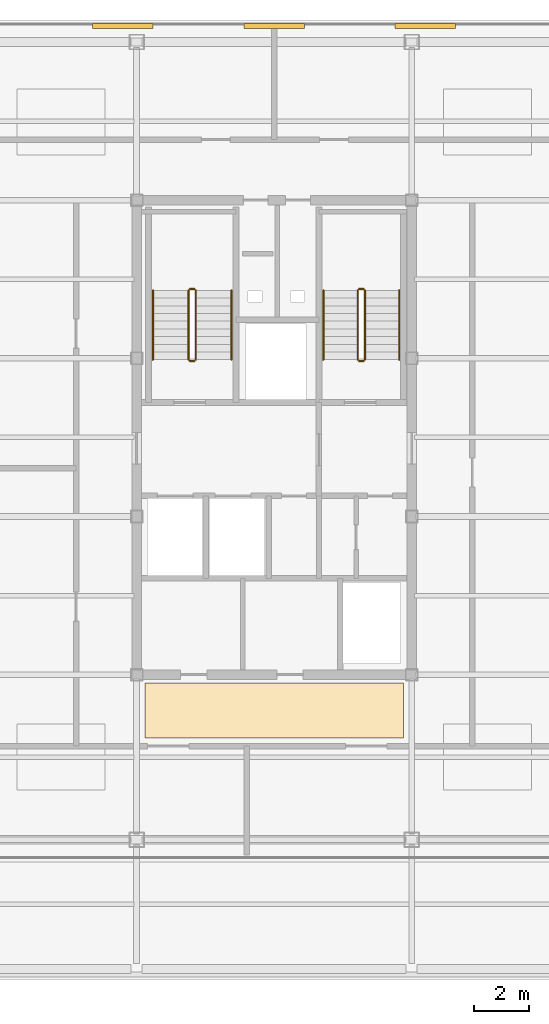
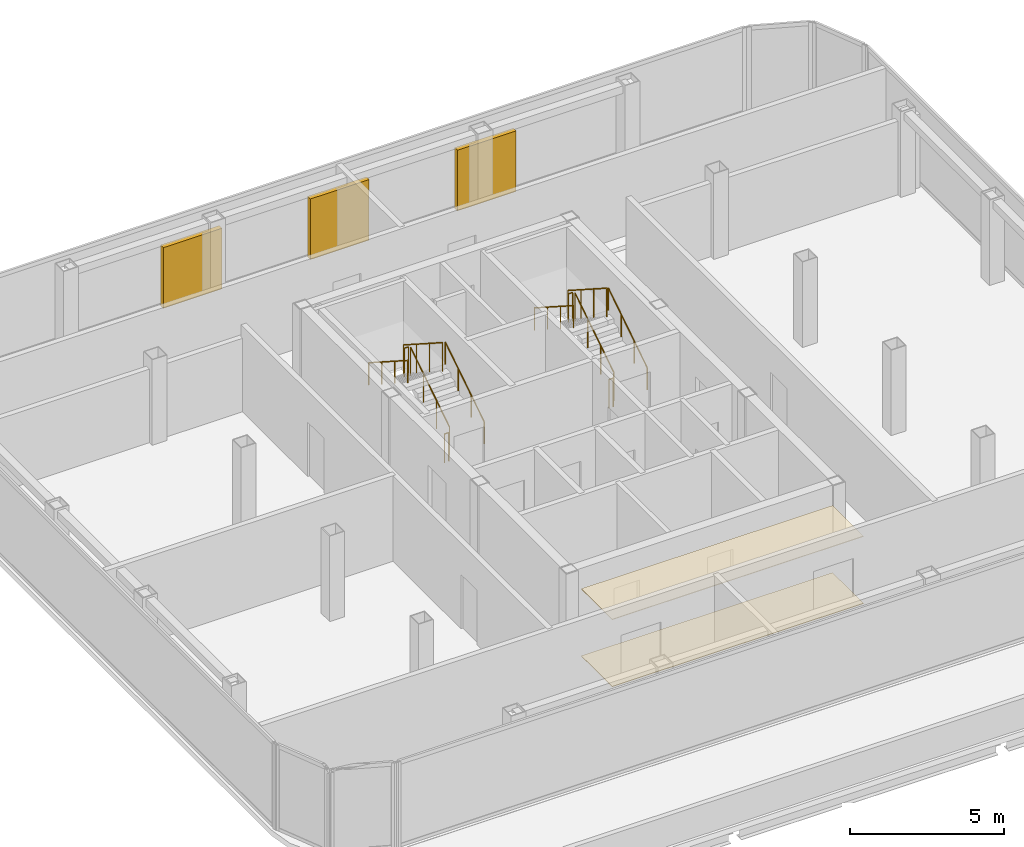
# One storey, part 15 of 15: 12 railings, 3 shading devices, 2 coverings.
"""IFC4 building model written with IfcOpenShell, lengths in metres."""

from ifc_helpers import new_model, si_unit, direction, frame, origin, origin_2d, place, context, subcontext, project, spatial, polyline, rectangle, circle, outline, extrude, source, transform, mapped, material, layer, layer_set, type_object, element, save


model = new_model("IFC4")

# Units and contexts
model_context = context("Model", 3, precision=1e-05, world=origin(), true_north=direction((0.0, 1.0)))
body_context = subcontext(model_context, "Body", "Model", "MODEL_VIEW")
ifc_project = project(units=[si_unit("LENGTHUNIT", "METRE"), si_unit("AREAUNIT", "SQUARE_METRE"), si_unit("VOLUMEUNIT", "CUBIC_METRE"), si_unit("PLANEANGLEUNIT", "RADIAN"), si_unit("MASSUNIT", "GRAM", prefix="KILO")], contexts=[model_context])

# Site, building, storey
site_placement = place(None, origin())
site = spatial("IfcSite", under=ifc_project, at=site_placement, CompositionType="ELEMENT")
building_placement = place(site_placement, origin())
building = spatial("IfcBuilding", under=site, at=building_placement, Name="Kolveth Station Tower", CompositionType="ELEMENT")
storey_placement = place(building_placement, frame((0.0, 0.0, 271.300048828125)))
storey = spatial("IfcBuildingStorey", under=building, at=storey_placement, Name="L78", CompositionType="ELEMENT", Elevation=271.300048828125)

# Coverings
ifc_material_1 = material(Name="Acoustic mineral-fibre ceiling tile")
ifc_layer_1 = layer(ifc_material_1, 0.02490234375)
ifc_layer_set_1 = layer_set([ifc_layer_1], Name="Acoustic mineral-fibre ceiling tile")
covering_type_1 = type_object("IfcCoveringType", Name="Ceil_CL1", PredefinedType="CEILING", material=ifc_layer_set_1)
covering_1_placement = place(storey_placement, frame((0.0, 0.0, 2.64990234375)))
element("IfcCovering", 1, at=covering_1_placement, inside=storey, type_object=covering_type_1, Name="L78 Lift Lobby Suspended Ceiling", PredefinedType="CEILING", context=body_context, shape_type="SweptSolid", body=[
    extrude(outline(polyline([(18.800048828125, 9.199951171875), (28.199951171875, 9.199951171875), (28.199951171875, 11.199951171875), (18.800048828125, 11.199951171875), (18.800048828125, 9.199951171875)])), origin(), (0.0, 0.0, 1.0), 0.025146484375),
])
ifc_material_2 = material(Name="Honed terrazzo flooring")
ifc_layer_2 = layer(ifc_material_2, 0.02001953125)
ifc_layer_set_2 = layer_set([ifc_layer_2], Name="Honed terrazzo flooring")
covering_type_2 = type_object("IfcCoveringType", Name="Floor_FL1", PredefinedType="FLOORING", material=ifc_layer_set_2)
covering_2_placement = place(storey_placement, origin())
element("IfcCovering", 2, at=covering_2_placement, inside=storey, type_object=covering_type_2, Name="L78 Lift Lobby Floor Finish", PredefinedType="FLOORING", context=body_context, shape_type="SweptSolid", body=[
    extrude(outline(polyline([(18.800048828125, 9.199951171875), (28.199951171875, 9.199951171875), (28.199951171875, 11.199951171875), (18.800048828125, 11.199951171875), (18.800048828125, 9.199951171875)])), origin(), (0.0, 0.0, 1.0), 0.02001953125),
])

# Railings
ifc_material_3 = material(Name="Painted Steel S355 balustrade", Category="steel")
railing_type_1 = type_object("IfcRailingType", Name="Guard_GR2", PredefinedType="BALUSTRADE", material=ifc_material_3)
railing_1_placement = place(storey_placement, frame((20.64990234375, 22.949951171875, 0.179931640625)))
element("IfcRailing", 3, at=railing_1_placement, inside=storey, type_object=railing_type_1, Name="L78 ST1 stair guard 1", PredefinedType="BALUSTRADE", context=body_context, shape_type="SweptSolid", body=[
    extrude(circle(Radius=0.02392578125, at=origin_2d()), frame((0.0, 0.0, 1.1259765625), z_axis=(0.0, 0.841162588446, 0.540782303519), x_axis=(-1.0, 0.0, 0.0)), (0.0, 0.0, 1.0), 2.995849609375),
    extrude(circle(Radius=0.02099609375, at=origin_2d()), origin(), (0.0, 0.0, 1.0), 1.101806640625),
    extrude(circle(Radius=0.02099609375, at=origin_2d()), frame((0.0, 0.840087890625, 0.5400390625)), (0.0, 0.0, 1.0), 1.101806640625),
    extrude(circle(Radius=0.02099609375, at=origin_2d()), frame((0.0, 1.679931640625, 1.080078125)), (0.0, 0.0, 1.0), 1.101806640625),
    extrude(circle(Radius=0.02099609375, at=origin_2d()), frame((0.0, 2.52001953125, 1.6201171875)), (0.0, 0.0, 1.0), 1.101806640625),
])
railing_2_placement = place(storey_placement, frame((20.60009765625, 25.52001953125, 1.800048828125)))
element("IfcRailing", 4, at=railing_2_placement, inside=storey, type_object=railing_type_1, Name="L78 ST1 stair guard 2", PredefinedType="BALUSTRADE", context=body_context, shape_type="SweptSolid", body=[
    extrude(circle(Radius=0.02392578125, at=origin_2d()), frame((0.0, 0.0, 1.1259765625), z_axis=(-1.0, 0.0, 0.0), x_axis=(0.0, -1.0, 0.0)), (0.0, 0.0, 1.0), 0.16015625),
    extrude(circle(Radius=0.02099609375, at=origin_2d()), origin(), (0.0, 0.0, 1.0), 1.101806640625),
    extrude(circle(Radius=0.02099609375, at=origin_2d()), frame((-0.16015625, 0.0, 0.0)), (0.0, 0.0, 1.0), 1.101806640625),
])
railing_3_placement = place(storey_placement, frame((20.389892578125, 25.469970703125, 1.97998046875)))
element("IfcRailing", 5, at=railing_3_placement, inside=storey, type_object=railing_type_1, Name="L78 ST1 stair guard 3", PredefinedType="BALUSTRADE", context=body_context, shape_type="SweptSolid", body=[
    extrude(circle(Radius=0.02392578125, at=origin_2d()), frame((0.0, 0.0, 1.1259765625), z_axis=(0.0, -0.841199657755, 0.540724639528), x_axis=(1.0, 0.0, 0.0)), (0.0, 0.0, 1.0), 2.995849609375),
    extrude(circle(Radius=0.02099609375, at=origin_2d()), origin(), (0.0, 0.0, 1.0), 1.101806640625),
    extrude(circle(Radius=0.02099609375, at=origin_2d()), frame((0.0, -0.840087890625, 0.5400390625)), (0.0, 0.0, 1.0), 1.101806640625),
    extrude(circle(Radius=0.02099609375, at=origin_2d()), frame((0.0, -1.679931640625, 1.079833984375)), (0.0, 0.0, 1.0), 1.101806640625),
    extrude(circle(Radius=0.02099609375, at=origin_2d()), frame((0.0, -2.52001953125, 1.619873046875)), (0.0, 0.0, 1.0), 1.101806640625),
])
railing_4_placement = place(storey_placement, frame((20.60009765625, 22.89990234375, 0.0)))
element("IfcRailing", 6, at=railing_4_placement, inside=storey, type_object=railing_type_1, Name="L78 ST1 stair guard 4", PredefinedType="BALUSTRADE", context=body_context, shape_type="SweptSolid", body=[
    extrude(circle(Radius=0.02392578125, at=origin_2d()), frame((0.0, 0.0, 1.1259765625), z_axis=(-1.0, 0.0, 0.0), x_axis=(0.0, -1.0, 0.0)), (0.0, 0.0, 1.0), 0.16015625),
    extrude(circle(Radius=0.02099609375, at=origin_2d()), origin(), (0.0, 0.0, 1.0), 1.101806640625),
    extrude(circle(Radius=0.02099609375, at=origin_2d()), frame((-0.16015625, 0.0, 0.0)), (0.0, 0.0, 1.0), 1.101806640625),
])
railing_5_placement = place(storey_placement, frame((26.800048828125, 22.949951171875, 0.179931640625)))
element("IfcRailing", 7, at=railing_5_placement, inside=storey, type_object=railing_type_1, Name="L78 ST2 stair guard 1", PredefinedType="BALUSTRADE", context=body_context, shape_type="SweptSolid", body=[
    extrude(circle(Radius=0.02392578125, at=origin_2d()), frame((0.0, 0.0, 1.1259765625), z_axis=(0.0, 0.841162588446, 0.540782303519), x_axis=(-1.0, 0.0, 0.0)), (0.0, 0.0, 1.0), 2.995849609375),
    extrude(circle(Radius=0.02099609375, at=origin_2d()), origin(), (0.0, 0.0, 1.0), 1.101806640625),
    extrude(circle(Radius=0.02099609375, at=origin_2d()), frame((0.0, 0.840087890625, 0.5400390625)), (0.0, 0.0, 1.0), 1.101806640625),
    extrude(circle(Radius=0.02099609375, at=origin_2d()), frame((0.0, 1.679931640625, 1.080078125)), (0.0, 0.0, 1.0), 1.101806640625),
    extrude(circle(Radius=0.02099609375, at=origin_2d()), frame((0.0, 2.52001953125, 1.6201171875)), (0.0, 0.0, 1.0), 1.101806640625),
])
railing_6_placement = place(storey_placement, frame((26.75, 25.52001953125, 1.800048828125)))
element("IfcRailing", 8, at=railing_6_placement, inside=storey, type_object=railing_type_1, Name="L78 ST2 stair guard 2", PredefinedType="BALUSTRADE", context=body_context, shape_type="SweptSolid", body=[
    extrude(circle(Radius=0.02392578125, at=origin_2d()), frame((0.0, 0.0, 1.1259765625), z_axis=(-1.0, 0.0, 0.0), x_axis=(0.0, -1.0, 0.0)), (0.0, 0.0, 1.0), 0.159912109375),
    extrude(circle(Radius=0.02099609375, at=origin_2d()), origin(), (0.0, 0.0, 1.0), 1.101806640625),
    extrude(circle(Radius=0.02099609375, at=origin_2d()), frame((-0.159912109375, 0.0, 0.0)), (0.0, 0.0, 1.0), 1.101806640625),
])
railing_7_placement = place(storey_placement, frame((26.5400390625, 25.469970703125, 1.97998046875)))
element("IfcRailing", 9, at=railing_7_placement, inside=storey, type_object=railing_type_1, Name="L78 ST2 stair guard 3", PredefinedType="BALUSTRADE", context=body_context, shape_type="SweptSolid", body=[
    extrude(circle(Radius=0.02392578125, at=origin_2d()), frame((0.0, 0.0, 1.1259765625), z_axis=(0.0, -0.841199657755, 0.540724639528), x_axis=(1.0, 0.0, 0.0)), (0.0, 0.0, 1.0), 2.995849609375),
    extrude(circle(Radius=0.02099609375, at=origin_2d()), origin(), (0.0, 0.0, 1.0), 1.101806640625),
    extrude(circle(Radius=0.02099609375, at=origin_2d()), frame((0.0, -0.840087890625, 0.5400390625)), (0.0, 0.0, 1.0), 1.101806640625),
    extrude(circle(Radius=0.02099609375, at=origin_2d()), frame((0.0, -1.679931640625, 1.079833984375)), (0.0, 0.0, 1.0), 1.101806640625),
    extrude(circle(Radius=0.02099609375, at=origin_2d()), frame((0.0, -2.52001953125, 1.619873046875)), (0.0, 0.0, 1.0), 1.101806640625),
])
railing_8_placement = place(storey_placement, frame((26.75, 22.89990234375, 0.0)))
element("IfcRailing", 10, at=railing_8_placement, inside=storey, type_object=railing_type_1, Name="L78 ST2 stair guard 4", PredefinedType="BALUSTRADE", context=body_context, shape_type="SweptSolid", body=[
    extrude(circle(Radius=0.02392578125, at=origin_2d()), frame((0.0, 0.0, 1.1259765625), z_axis=(-1.0, 0.0, 0.0), x_axis=(0.0, -1.0, 0.0)), (0.0, 0.0, 1.0), 0.159912109375),
    extrude(circle(Radius=0.02099609375, at=origin_2d()), origin(), (0.0, 0.0, 1.0), 1.101806640625),
    extrude(circle(Radius=0.02099609375, at=origin_2d()), frame((-0.159912109375, 0.0, 0.0)), (0.0, 0.0, 1.0), 1.101806640625),
])
ifc_material_4 = material(Name="Brushed stainless steel", Category="steel")
railing_type_2 = type_object("IfcRailingType", Name="Handrail_HR1", PredefinedType="HANDRAIL", material=ifc_material_4)
railing_9_placement = place(storey_placement, frame((21.949951171875, 22.949951171875, 0.179931640625)))
element("IfcRailing", 11, at=railing_9_placement, inside=storey, type_object=railing_type_2, Name="L78 ST1 stair handrail 1", PredefinedType="HANDRAIL", context=body_context, shape_type="SweptSolid", body=[
    extrude(circle(Radius=0.02392578125, at=origin_2d()), frame((0.0, 0.0, 0.8759765625), z_axis=(0.0, 0.841162588446, 0.540782303519), x_axis=(-1.0, 0.0, 0.0)), (0.0, 0.0, 1.0), 2.995849609375),
    extrude(circle(Radius=0.02099609375, at=origin_2d()), origin(), (0.0, 0.0, 1.0), 0.851806640625),
    extrude(circle(Radius=0.02099609375, at=origin_2d()), frame((0.0, 0.840087890625, 0.5400390625)), (0.0, 0.0, 1.0), 0.851806640625),
    extrude(circle(Radius=0.02099609375, at=origin_2d()), frame((0.0, 1.679931640625, 1.080078125)), (0.0, 0.0, 1.0), 0.851806640625),
    extrude(circle(Radius=0.02099609375, at=origin_2d()), frame((0.0, 2.52001953125, 1.6201171875)), (0.0, 0.0, 1.0), 0.851806640625),
])
railing_10_placement = place(storey_placement, frame((19.090087890625, 25.469970703125, 1.97998046875)))
element("IfcRailing", 12, at=railing_10_placement, inside=storey, type_object=railing_type_2, Name="L78 ST1 stair handrail 2", PredefinedType="HANDRAIL", context=body_context, shape_type="SweptSolid", body=[
    extrude(circle(Radius=0.02392578125, at=origin_2d()), frame((0.0, 0.0, 0.8759765625), z_axis=(0.0, -0.841199657755, 0.540724639528), x_axis=(1.0, 0.0, 0.0)), (0.0, 0.0, 1.0), 2.995849609375),
    extrude(circle(Radius=0.02099609375, at=origin_2d()), origin(), (0.0, 0.0, 1.0), 0.851806640625),
    extrude(circle(Radius=0.02099609375, at=origin_2d()), frame((0.0, -0.840087890625, 0.5400390625)), (0.0, 0.0, 1.0), 0.851806640625),
    extrude(circle(Radius=0.02099609375, at=origin_2d()), frame((0.0, -1.679931640625, 1.079833984375)), (0.0, 0.0, 1.0), 0.851806640625),
    extrude(circle(Radius=0.02099609375, at=origin_2d()), frame((0.0, -2.52001953125, 1.619873046875)), (0.0, 0.0, 1.0), 0.851806640625),
])
railing_11_placement = place(storey_placement, frame((28.050048828125, 22.949951171875, 0.179931640625)))
element("IfcRailing", 13, at=railing_11_placement, inside=storey, type_object=railing_type_2, Name="L78 ST2 stair handrail 1", PredefinedType="HANDRAIL", context=body_context, shape_type="SweptSolid", body=[
    extrude(circle(Radius=0.02392578125, at=origin_2d()), frame((0.0, 0.0, 0.8759765625), z_axis=(0.0, 0.841162588446, 0.540782303519), x_axis=(-1.0, 0.0, 0.0)), (0.0, 0.0, 1.0), 2.995849609375),
    extrude(circle(Radius=0.02099609375, at=origin_2d()), origin(), (0.0, 0.0, 1.0), 0.851806640625),
    extrude(circle(Radius=0.02099609375, at=origin_2d()), frame((0.0, 0.840087890625, 0.5400390625)), (0.0, 0.0, 1.0), 0.851806640625),
    extrude(circle(Radius=0.02099609375, at=origin_2d()), frame((0.0, 1.679931640625, 1.080078125)), (0.0, 0.0, 1.0), 0.851806640625),
    extrude(circle(Radius=0.02099609375, at=origin_2d()), frame((0.0, 2.52001953125, 1.6201171875)), (0.0, 0.0, 1.0), 0.851806640625),
])
railing_12_placement = place(storey_placement, frame((25.2900390625, 25.469970703125, 1.97998046875)))
element("IfcRailing", 14, at=railing_12_placement, inside=storey, type_object=railing_type_2, Name="L78 ST2 stair handrail 2", PredefinedType="HANDRAIL", context=body_context, shape_type="SweptSolid", body=[
    extrude(circle(Radius=0.02392578125, at=origin_2d()), frame((0.0, 0.0, 0.8759765625), z_axis=(0.0, -0.841199657755, 0.540724639528), x_axis=(1.0, 0.0, 0.0)), (0.0, 0.0, 1.0), 2.995849609375),
    extrude(circle(Radius=0.02099609375, at=origin_2d()), origin(), (0.0, 0.0, 1.0), 0.851806640625),
    extrude(circle(Radius=0.02099609375, at=origin_2d()), frame((0.0, -0.840087890625, 0.5400390625)), (0.0, 0.0, 1.0), 0.851806640625),
    extrude(circle(Radius=0.02099609375, at=origin_2d()), frame((0.0, -1.679931640625, 1.079833984375)), (0.0, 0.0, 1.0), 0.851806640625),
    extrude(circle(Radius=0.02099609375, at=origin_2d()), frame((0.0, -2.52001953125, 1.619873046875)), (0.0, 0.0, 1.0), 0.851806640625),
])

# Shading devices
ifc_material_5 = material(Name="Black anodized aluminium 6063-T6", Category="aluminium")
shading_device_type = type_object("IfcShadingDeviceType", Name="Louvre_LV1", PredefinedType="JALOUSIE", material=ifc_material_5)
shared_shape = source(origin(), body_context, "Body", "SweptSolid", [
    extrude(rectangle(XDim=2.199951171875, YDim=0.179931640625, at=origin_2d()), origin(), (0.0, 0.0, 1.0), 2.39990234375),
])
for number, where, z_axis, x_axis, name in (
    (15, (18.0, 35.080078125, 0.0), (0.0, 0.0, 1.0), (1.0, 0.0, 0.0), "L78 Crown Plant Louvre 1"),
    (16, (23.5, 35.080078125, 0.0), (0.0, 0.0, 1.0), (1.0, 0.0, 0.0), "L78 Crown Plant Louvre 2"),
    (17, (29.0, 35.080078125, 0.0), (0.0, 0.0, 1.0), (1.0, 0.0, 0.0), "L78 Crown Plant Louvre 3"),
):
    element("IfcShadingDevice", number, at=place(storey_placement, frame(where, z_axis=z_axis, x_axis=x_axis)), inside=storey, type_object=shading_device_type, Name=name, PredefinedType="JALOUSIE", context=body_context, shape_type="MappedRepresentation", body=[
        mapped(shared_shape, transform((0.0, 0.0, 0.0), x_axis=(1.0, 0.0, 0.0), y_axis=(0.0, 1.0, 0.0), z_axis=(0.0, 0.0, 1.0), scale=1.0)),
    ])

save(model, "model.ifc")
